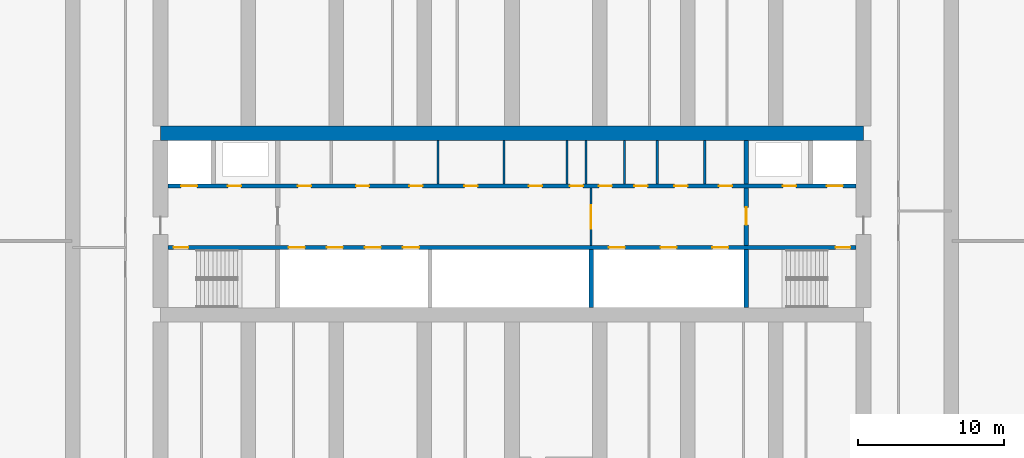
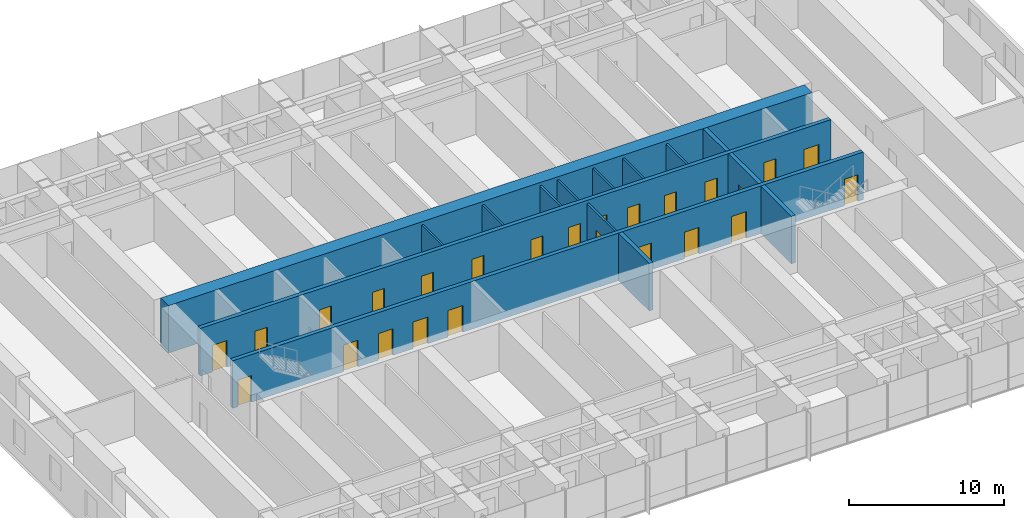
# One storey, part 14 of 25: 25 doors, 15 walls, 25 openings.
"""IFC4 building model written with IfcOpenShell, lengths in metres."""

from ifc_helpers import new_model, si_unit, direction, frame, frame_2d, origin, place, context, subcontext, project, spatial, rectangle, extrude, material, layer, layer_set, type_object, element, fill, save


model = new_model("IFC4")

# Units and contexts
model_context = context("Model", 3, precision=1e-05, world=origin(), true_north=direction((0.0, 1.0)))
body_context = subcontext(model_context, "Body", "Model", "MODEL_VIEW")
ifc_project = project(units=[si_unit("LENGTHUNIT", "METRE"), si_unit("AREAUNIT", "SQUARE_METRE"), si_unit("VOLUMEUNIT", "CUBIC_METRE"), si_unit("PLANEANGLEUNIT", "RADIAN"), si_unit("MASSUNIT", "GRAM", prefix="KILO")], contexts=[model_context])

# Site, building, storey
site_placement = place(None, origin())
site = spatial("IfcSite", under=ifc_project, at=site_placement, CompositionType="ELEMENT")
building_placement = place(site_placement, origin())
building = spatial("IfcBuilding", under=site, at=building_placement, Name="Orbita Commons", CompositionType="ELEMENT")
storey_placement = place(building_placement, frame((0.0, 0.0, 31.449951171875)))
storey = spatial("IfcBuildingStorey", under=building, at=storey_placement, Name="L07", CompositionType="ELEMENT", Elevation=31.449951171875)

# Wall, openings, doors
ifc_material_1 = material(Name="Concrete C50/60", Category="concrete")
ifc_layer_1 = layer(ifc_material_1, 0.300048828125)
ifc_layer_set_1 = layer_set([ifc_layer_1], Name="Concrete C50/60")
wall_type_1 = type_object("IfcWallType", Name="Core inner wall 300 C50/60", PredefinedType="SHEAR", material=ifc_layer_set_1)
wall_1_placement = place(storey_placement, frame((18.5, 30.39990234375, 0.0), z_axis=(0.0, 0.0, 1.0), x_axis=(1.0, 0.0, 0.0)))
wall_1 = element("IfcWall", 1, at=wall_1_placement, inside=storey, type_object=wall_type_1, Name="Lobby wall south L07", PredefinedType="SHEAR", context=body_context, shape_type="SweptSolid", body=[
    extrude(rectangle(XDim=47.0, YDim=0.300048828125, at=frame_2d((23.5, 0.0))), origin(), (0.0, 0.0, 1.0), 3.75),
])
opening_1_placement = place(wall_1_placement, frame((0.39990234375, 0.0, 0.0)))
opening_1 = element("IfcOpeningElement", 2, at=opening_1_placement, cuts=wall_1, Name="Opening D02", PredefinedType="OPENING", context=body_context, shape_type="SweptSolid", body=[
    extrude(rectangle(XDim=1.0, YDim=2.10009765625, at=frame_2d((0.5, 1.050048828125))), frame((0.0, 0.159912109375, 0.0), z_axis=(0.0, -1.0, 0.0), x_axis=(1.0, 0.0, 0.0)), (0.0, 0.0, 1.0), 0.320068359375),
])
opening_2_placement = place(wall_1_placement, frame((45.60009765625, 0.0, 0.0)))
opening_2 = element("IfcOpeningElement", 3, at=opening_2_placement, cuts=wall_1, Name="Opening D02", PredefinedType="OPENING", context=body_context, shape_type="SweptSolid", body=[
    extrude(rectangle(XDim=1.0, YDim=2.10009765625, at=frame_2d((0.5, 1.050048828125))), frame((0.0, 0.159912109375, 0.0), z_axis=(0.0, -1.0, 0.0), x_axis=(1.0, 0.0, 0.0)), (0.0, 0.0, 1.0), 0.320068359375),
])
opening_3_placement = place(wall_1_placement, frame((8.25, 0.0, 0.0)))
opening_3 = element("IfcOpeningElement", 4, at=opening_3_placement, cuts=wall_1, Name="Opening LD02", PredefinedType="OPENING", context=body_context, shape_type="SweptSolid", body=[
    extrude(rectangle(XDim=1.10009765625, YDim=2.10009765625, at=frame_2d((0.550048828125, 1.050048828125))), frame((0.0, 0.159912109375, 0.0), z_axis=(0.0, -1.0, 0.0), x_axis=(1.0, 0.0, 0.0)), (0.0, 0.0, 1.0), 0.320068359375),
])
opening_4_placement = place(wall_1_placement, frame((10.85009765625, 0.0, 0.0)))
opening_4 = element("IfcOpeningElement", 5, at=opening_4_placement, cuts=wall_1, Name="Opening LD02", PredefinedType="OPENING", context=body_context, shape_type="SweptSolid", body=[
    extrude(rectangle(XDim=1.10009765625, YDim=2.10009765625, at=frame_2d((0.550048828125, 1.050048828125))), frame((0.0, 0.159912109375, 0.0), z_axis=(0.0, -1.0, 0.0), x_axis=(1.0, 0.0, 0.0)), (0.0, 0.0, 1.0), 0.320068359375),
])
opening_5_placement = place(wall_1_placement, frame((13.449951171875, 0.0, 0.0)))
opening_5 = element("IfcOpeningElement", 6, at=opening_5_placement, cuts=wall_1, Name="Opening LD02", PredefinedType="OPENING", context=body_context, shape_type="SweptSolid", body=[
    extrude(rectangle(XDim=1.10009765625, YDim=2.10009765625, at=frame_2d((0.550048828125, 1.050048828125))), frame((0.0, 0.159912109375, 0.0), z_axis=(0.0, -1.0, 0.0), x_axis=(1.0, 0.0, 0.0)), (0.0, 0.0, 1.0), 0.320068359375),
])
opening_6_placement = place(wall_1_placement, frame((16.050048828125, 0.0, 0.0)))
opening_6 = element("IfcOpeningElement", 7, at=opening_6_placement, cuts=wall_1, Name="Opening LD02", PredefinedType="OPENING", context=body_context, shape_type="SweptSolid", body=[
    extrude(rectangle(XDim=1.10009765625, YDim=2.10009765625, at=frame_2d((0.550048828125, 1.050048828125))), frame((0.0, 0.159912109375, 0.0), z_axis=(0.0, -1.0, 0.0), x_axis=(1.0, 0.0, 0.0)), (0.0, 0.0, 1.0), 0.320068359375),
])
opening_7_placement = place(wall_1_placement, frame((30.11669921875, 0.0, 0.0)))
opening_7 = element("IfcOpeningElement", 8, at=opening_7_placement, cuts=wall_1, Name="Opening LD02", PredefinedType="OPENING", context=body_context, shape_type="SweptSolid", body=[
    extrude(rectangle(XDim=1.10009765625, YDim=2.10009765625, at=frame_2d((0.550048828125, 1.050048828125))), frame((0.0, 0.159912109375, 0.0), z_axis=(0.0, -1.0, 0.0), x_axis=(1.0, 0.0, 0.0)), (0.0, 0.0, 1.0), 0.320068359375),
])
opening_8_placement = place(wall_1_placement, frame((33.64990234375, 0.0, 0.0)))
opening_8 = element("IfcOpeningElement", 9, at=opening_8_placement, cuts=wall_1, Name="Opening LD02", PredefinedType="OPENING", context=body_context, shape_type="SweptSolid", body=[
    extrude(rectangle(XDim=1.10009765625, YDim=2.10009765625, at=frame_2d((0.550048828125, 1.050048828125))), frame((0.0, 0.159912109375, 0.0), z_axis=(0.0, -1.0, 0.0), x_axis=(1.0, 0.0, 0.0)), (0.0, 0.0, 1.0), 0.320068359375),
])
opening_9_placement = place(wall_1_placement, frame((37.183349609375, 0.0, 0.0)))
opening_9 = element("IfcOpeningElement", 10, at=opening_9_placement, cuts=wall_1, Name="Opening LD02", PredefinedType="OPENING", context=body_context, shape_type="SweptSolid", body=[
    extrude(rectangle(XDim=1.10009765625, YDim=2.10009765625, at=frame_2d((0.550048828125, 1.050048828125))), frame((0.0, 0.159912109375, 0.0), z_axis=(0.0, -1.0, 0.0), x_axis=(1.0, 0.0, 0.0)), (0.0, 0.0, 1.0), 0.320068359375),
])
ifc_material_2 = material(Name="Steel-faced fire door leaf", Category="steel")
door_type_1 = type_object("IfcDoorType", Name="Fire door 90 min 1000x2100", OperationType="SINGLE_SWING_LEFT", PredefinedType="DOOR", material=ifc_material_2)
door_1_placement = place(opening_1_placement, origin())
door_1 = element("IfcDoor", 11, at=door_1_placement, inside=storey, type_object=door_type_1, Name="Stair S1 door", OperationType="SINGLE_SWING_LEFT", OverallHeight=2.10009765625, OverallWidth=1.0, PredefinedType="DOOR", context=body_context, shape_type="SweptSolid", body=[
    extrude(rectangle(XDim=1.0, YDim=2.10009765625, at=frame_2d((0.5, 1.050048828125))), frame((0.0, 0.02490234375, 0.0), z_axis=(0.0, -1.0, 0.0), x_axis=(1.0, 0.0, 0.0)), (0.0, 0.0, 1.0), 0.050048828125),
])
fill(opening_1, door_1)
door_2_placement = place(opening_2_placement, origin())
door_2 = element("IfcDoor", 12, at=door_2_placement, inside=storey, type_object=door_type_1, Name="Stair S2 door", OperationType="SINGLE_SWING_LEFT", OverallHeight=2.10009765625, OverallWidth=1.0, PredefinedType="DOOR", context=body_context, shape_type="SweptSolid", body=[
    extrude(rectangle(XDim=1.0, YDim=2.10009765625, at=frame_2d((0.5, 1.050048828125))), frame((0.0, 0.02490234375, 0.0), z_axis=(0.0, -1.0, 0.0), x_axis=(1.0, 0.0, 0.0)), (0.0, 0.0, 1.0), 0.050048828125),
])
fill(opening_2, door_2)
ifc_material_3 = material(Name="Steel-faced fire door leaf", Category="steel")
door_type_2 = type_object("IfcDoorType", Name="Lift landing door 1100x2100", OperationType="DOUBLE_DOOR_SLIDING", PredefinedType="DOOR", material=ifc_material_3)
door_3_placement = place(opening_3_placement, origin())
door_3 = element("IfcDoor", 13, at=door_3_placement, inside=storey, type_object=door_type_2, Name="Lift P11 landing door", OperationType="DOUBLE_DOOR_SLIDING", OverallHeight=2.10009765625, OverallWidth=1.10009765625, PredefinedType="DOOR", context=body_context, shape_type="SweptSolid", body=[
    extrude(rectangle(XDim=1.10009765625, YDim=2.10009765625, at=frame_2d((0.550048828125, 1.050048828125))), frame((0.0, 0.02490234375, 0.0), z_axis=(0.0, -1.0, 0.0), x_axis=(1.0, 0.0, 0.0)), (0.0, 0.0, 1.0), 0.050048828125),
])
fill(opening_3, door_3)
door_4_placement = place(opening_4_placement, origin())
door_4 = element("IfcDoor", 14, at=door_4_placement, inside=storey, type_object=door_type_2, Name="Lift P12 landing door", OperationType="DOUBLE_DOOR_SLIDING", OverallHeight=2.10009765625, OverallWidth=1.10009765625, PredefinedType="DOOR", context=body_context, shape_type="SweptSolid", body=[
    extrude(rectangle(XDim=1.10009765625, YDim=2.10009765625, at=frame_2d((0.550048828125, 1.050048828125))), frame((0.0, 0.02490234375, 0.0), z_axis=(0.0, -1.0, 0.0), x_axis=(1.0, 0.0, 0.0)), (0.0, 0.0, 1.0), 0.050048828125),
])
fill(opening_4, door_4)
door_5_placement = place(opening_5_placement, origin())
door_5 = element("IfcDoor", 15, at=door_5_placement, inside=storey, type_object=door_type_2, Name="Lift P13 landing door", OperationType="DOUBLE_DOOR_SLIDING", OverallHeight=2.10009765625, OverallWidth=1.10009765625, PredefinedType="DOOR", context=body_context, shape_type="SweptSolid", body=[
    extrude(rectangle(XDim=1.10009765625, YDim=2.10009765625, at=frame_2d((0.550048828125, 1.050048828125))), frame((0.0, 0.02490234375, 0.0), z_axis=(0.0, -1.0, 0.0), x_axis=(1.0, 0.0, 0.0)), (0.0, 0.0, 1.0), 0.050048828125),
])
fill(opening_5, door_5)
door_6_placement = place(opening_6_placement, origin())
door_6 = element("IfcDoor", 16, at=door_6_placement, inside=storey, type_object=door_type_2, Name="Lift P14 landing door", OperationType="DOUBLE_DOOR_SLIDING", OverallHeight=2.10009765625, OverallWidth=1.10009765625, PredefinedType="DOOR", context=body_context, shape_type="SweptSolid", body=[
    extrude(rectangle(XDim=1.10009765625, YDim=2.10009765625, at=frame_2d((0.550048828125, 1.050048828125))), frame((0.0, 0.02490234375, 0.0), z_axis=(0.0, -1.0, 0.0), x_axis=(1.0, 0.0, 0.0)), (0.0, 0.0, 1.0), 0.050048828125),
])
fill(opening_6, door_6)
door_7_placement = place(opening_7_placement, origin())
door_7 = element("IfcDoor", 17, at=door_7_placement, inside=storey, type_object=door_type_2, Name="Lift SV1 landing door", OperationType="DOUBLE_DOOR_SLIDING", OverallHeight=2.10009765625, OverallWidth=1.10009765625, PredefinedType="DOOR", context=body_context, shape_type="SweptSolid", body=[
    extrude(rectangle(XDim=1.10009765625, YDim=2.10009765625, at=frame_2d((0.550048828125, 1.050048828125))), frame((0.0, 0.02490234375, 0.0), z_axis=(0.0, -1.0, 0.0), x_axis=(1.0, 0.0, 0.0)), (0.0, 0.0, 1.0), 0.050048828125),
])
fill(opening_7, door_7)
door_8_placement = place(opening_8_placement, origin())
door_8 = element("IfcDoor", 18, at=door_8_placement, inside=storey, type_object=door_type_2, Name="Lift SV2 landing door", OperationType="DOUBLE_DOOR_SLIDING", OverallHeight=2.10009765625, OverallWidth=1.10009765625, PredefinedType="DOOR", context=body_context, shape_type="SweptSolid", body=[
    extrude(rectangle(XDim=1.10009765625, YDim=2.10009765625, at=frame_2d((0.550048828125, 1.050048828125))), frame((0.0, 0.02490234375, 0.0), z_axis=(0.0, -1.0, 0.0), x_axis=(1.0, 0.0, 0.0)), (0.0, 0.0, 1.0), 0.050048828125),
])
fill(opening_8, door_8)
door_9_placement = place(opening_9_placement, origin())
door_9 = element("IfcDoor", 19, at=door_9_placement, inside=storey, type_object=door_type_2, Name="Lift SV3 landing door", OperationType="DOUBLE_DOOR_SLIDING", OverallHeight=2.10009765625, OverallWidth=1.10009765625, PredefinedType="DOOR", context=body_context, shape_type="SweptSolid", body=[
    extrude(rectangle(XDim=1.10009765625, YDim=2.10009765625, at=frame_2d((0.550048828125, 1.050048828125))), frame((0.0, 0.02490234375, 0.0), z_axis=(0.0, -1.0, 0.0), x_axis=(1.0, 0.0, 0.0)), (0.0, 0.0, 1.0), 0.050048828125),
])
fill(opening_9, door_9)

wall_2_placement = place(storey_placement, frame((18.5, 34.60009765625, 0.0), z_axis=(0.0, 0.0, 1.0), x_axis=(1.0, 0.0, 0.0)))
wall_2 = element("IfcWall", 20, at=wall_2_placement, inside=storey, type_object=wall_type_1, Name="Lobby wall north L07", PredefinedType="SHEAR", context=body_context, shape_type="SweptSolid", body=[
    extrude(rectangle(XDim=47.0, YDim=0.300048828125, at=frame_2d((23.5, 0.0))), origin(), (0.0, 0.0, 1.0), 3.75),
])
opening_10_placement = place(wall_2_placement, frame((0.89990234375, 0.0, 0.0)))
opening_10 = element("IfcOpeningElement", 21, at=opening_10_placement, cuts=wall_2, Name="Opening LD01", PredefinedType="OPENING", context=body_context, shape_type="SweptSolid", body=[
    extrude(rectangle(XDim=1.10009765625, YDim=2.10009765625, at=frame_2d((0.550048828125, 1.050048828125))), frame((0.0, 0.159912109375, 0.0), z_axis=(0.0, -1.0, 0.0), x_axis=(1.0, 0.0, 0.0)), (0.0, 0.0, 1.0), 0.320068359375),
])
opening_11_placement = place(wall_2_placement, frame((45.0, 0.0, 0.0)))
opening_11 = element("IfcOpeningElement", 22, at=opening_11_placement, cuts=wall_2, Name="Opening LD01", PredefinedType="OPENING", context=body_context, shape_type="SweptSolid", body=[
    extrude(rectangle(XDim=1.10009765625, YDim=2.10009765625, at=frame_2d((0.550048828125, 1.050048828125))), frame((0.0, 0.159912109375, 0.0), z_axis=(0.0, -1.0, 0.0), x_axis=(1.0, 0.0, 0.0)), (0.0, 0.0, 1.0), 0.320068359375),
])
opening_12_placement = place(wall_2_placement, frame((4.10009765625, 0.0, 0.0)))
opening_12 = element("IfcOpeningElement", 23, at=opening_12_placement, cuts=wall_2, Name="Opening D03", PredefinedType="OPENING", context=body_context, shape_type="SweptSolid", body=[
    extrude(rectangle(XDim=0.89990234375, YDim=2.10009765625, at=frame_2d((0.449951171875, 1.050048828125))), frame((0.0, 0.159912109375, 0.0), z_axis=(0.0, -1.0, 0.0), x_axis=(1.0, 0.0, 0.0)), (0.0, 0.0, 1.0), 0.320068359375),
])
opening_13_placement = place(wall_2_placement, frame((42.0, 0.0, 0.0)))
opening_13 = element("IfcOpeningElement", 24, at=opening_13_placement, cuts=wall_2, Name="Opening D03", PredefinedType="OPENING", context=body_context, shape_type="SweptSolid", body=[
    extrude(rectangle(XDim=0.89990234375, YDim=2.10009765625, at=frame_2d((0.449951171875, 1.050048828125))), frame((0.0, 0.159912109375, 0.0), z_axis=(0.0, -1.0, 0.0), x_axis=(1.0, 0.0, 0.0)), (0.0, 0.0, 1.0), 0.320068359375),
])
opening_14_placement = place(wall_2_placement, frame((8.87548828125, 0.0, 0.0)))
opening_14 = element("IfcOpeningElement", 25, at=opening_14_placement, cuts=wall_2, Name="Opening D03", PredefinedType="OPENING", context=body_context, shape_type="SweptSolid", body=[
    extrude(rectangle(XDim=0.89990234375, YDim=2.10009765625, at=frame_2d((0.449951171875, 1.050048828125))), frame((0.0, 0.159912109375, 0.0), z_axis=(0.0, -1.0, 0.0), x_axis=(1.0, 0.0, 0.0)), (0.0, 0.0, 1.0), 0.320068359375),
])
opening_15_placement = place(wall_2_placement, frame((12.8486328125, 0.0, 0.0)))
opening_15 = element("IfcOpeningElement", 26, at=opening_15_placement, cuts=wall_2, Name="Opening D03", PredefinedType="OPENING", context=body_context, shape_type="SweptSolid", body=[
    extrude(rectangle(XDim=0.89990234375, YDim=2.10009765625, at=frame_2d((0.449951171875, 1.050048828125))), frame((0.0, 0.159912109375, 0.0), z_axis=(0.0, -1.0, 0.0), x_axis=(1.0, 0.0, 0.0)), (0.0, 0.0, 1.0), 0.320068359375),
])
opening_16_placement = place(wall_2_placement, frame((16.496337890625, 0.0, 0.0)))
opening_16 = element("IfcOpeningElement", 27, at=opening_16_placement, cuts=wall_2, Name="Opening D03", PredefinedType="OPENING", context=body_context, shape_type="SweptSolid", body=[
    extrude(rectangle(XDim=0.89990234375, YDim=2.10009765625, at=frame_2d((0.449951171875, 1.050048828125))), frame((0.0, 0.159912109375, 0.0), z_axis=(0.0, -1.0, 0.0), x_axis=(1.0, 0.0, 0.0)), (0.0, 0.0, 1.0), 0.320068359375),
])
opening_17_placement = place(wall_2_placement, frame((20.254638671875, 0.0, 0.0)))
opening_17 = element("IfcOpeningElement", 28, at=opening_17_placement, cuts=wall_2, Name="Opening D03", PredefinedType="OPENING", context=body_context, shape_type="SweptSolid", body=[
    extrude(rectangle(XDim=0.89990234375, YDim=2.10009765625, at=frame_2d((0.449951171875, 1.050048828125))), frame((0.0, 0.159912109375, 0.0), z_axis=(0.0, -1.0, 0.0), x_axis=(1.0, 0.0, 0.0)), (0.0, 0.0, 1.0), 0.320068359375),
])
opening_18_placement = place(wall_2_placement, frame((24.66064453125, 0.0, 0.0)))
opening_18 = element("IfcOpeningElement", 29, at=opening_18_placement, cuts=wall_2, Name="Opening D03", PredefinedType="OPENING", context=body_context, shape_type="SweptSolid", body=[
    extrude(rectangle(XDim=0.89990234375, YDim=2.10009765625, at=frame_2d((0.449951171875, 1.050048828125))), frame((0.0, 0.159912109375, 0.0), z_axis=(0.0, -1.0, 0.0), x_axis=(1.0, 0.0, 0.0)), (0.0, 0.0, 1.0), 0.320068359375),
])
opening_19_placement = place(wall_2_placement, frame((27.45849609375, 0.0, 0.0)))
opening_19 = element("IfcOpeningElement", 30, at=opening_19_placement, cuts=wall_2, Name="Opening D03", PredefinedType="OPENING", context=body_context, shape_type="SweptSolid", body=[
    extrude(rectangle(XDim=0.89990234375, YDim=2.10009765625, at=frame_2d((0.449951171875, 1.050048828125))), frame((0.0, 0.159912109375, 0.0), z_axis=(0.0, -1.0, 0.0), x_axis=(1.0, 0.0, 0.0)), (0.0, 0.0, 1.0), 0.320068359375),
])
opening_20_placement = place(wall_2_placement, frame((29.42529296875, 0.0, 0.0)))
opening_20 = element("IfcOpeningElement", 31, at=opening_20_placement, cuts=wall_2, Name="Opening D05", PredefinedType="OPENING", context=body_context, shape_type="SweptSolid", body=[
    extrude(rectangle(XDim=0.89990234375, YDim=2.10009765625, at=frame_2d((0.449951171875, 1.050048828125))), frame((0.0, 0.159912109375, 0.0), z_axis=(0.0, -1.0, 0.0), x_axis=(1.0, 0.0, 0.0)), (0.0, 0.0, 1.0), 0.320068359375),
])
opening_21_placement = place(wall_2_placement, frame((31.85693359375, 0.0, 0.0)))
opening_21 = element("IfcOpeningElement", 32, at=opening_21_placement, cuts=wall_2, Name="Opening D05", PredefinedType="OPENING", context=body_context, shape_type="SweptSolid", body=[
    extrude(rectangle(XDim=0.89990234375, YDim=2.10009765625, at=frame_2d((0.449951171875, 1.050048828125))), frame((0.0, 0.159912109375, 0.0), z_axis=(0.0, -1.0, 0.0), x_axis=(1.0, 0.0, 0.0)), (0.0, 0.0, 1.0), 0.320068359375),
])
opening_22_placement = place(wall_2_placement, frame((34.59228515625, 0.0, 0.0)))
opening_22 = element("IfcOpeningElement", 33, at=opening_22_placement, cuts=wall_2, Name="Opening D05", PredefinedType="OPENING", context=body_context, shape_type="SweptSolid", body=[
    extrude(rectangle(XDim=0.89990234375, YDim=2.10009765625, at=frame_2d((0.449951171875, 1.050048828125))), frame((0.0, 0.159912109375, 0.0), z_axis=(0.0, -1.0, 0.0), x_axis=(1.0, 0.0, 0.0)), (0.0, 0.0, 1.0), 0.320068359375),
])
opening_23_placement = place(wall_2_placement, frame((37.631591796875, 0.0, 0.0)))
opening_23 = element("IfcOpeningElement", 34, at=opening_23_placement, cuts=wall_2, Name="Opening D03", PredefinedType="OPENING", context=body_context, shape_type="SweptSolid", body=[
    extrude(rectangle(XDim=0.89990234375, YDim=2.10009765625, at=frame_2d((0.449951171875, 1.050048828125))), frame((0.0, 0.159912109375, 0.0), z_axis=(0.0, -1.0, 0.0), x_axis=(1.0, 0.0, 0.0)), (0.0, 0.0, 1.0), 0.320068359375),
])
ifc_material_4 = material(Name="Steel-faced fire door leaf", Category="steel")
door_type_3 = type_object("IfcDoorType", Name="Firefighting lift landing door 1100x2100", OperationType="DOUBLE_DOOR_SLIDING", PredefinedType="DOOR", material=ifc_material_4)
door_10_placement = place(opening_10_placement, origin())
door_10 = element("IfcDoor", 35, at=door_10_placement, inside=storey, type_object=door_type_3, Name="Firefighting lift FL1 landing door", OperationType="DOUBLE_DOOR_SLIDING", OverallHeight=2.10009765625, OverallWidth=1.10009765625, PredefinedType="DOOR", context=body_context, shape_type="SweptSolid", body=[
    extrude(rectangle(XDim=1.10009765625, YDim=2.10009765625, at=frame_2d((0.550048828125, 1.050048828125))), frame((0.0, 0.02490234375, 0.0), z_axis=(0.0, -1.0, 0.0), x_axis=(1.0, 0.0, 0.0)), (0.0, 0.0, 1.0), 0.050048828125),
])
fill(opening_10, door_10)
door_11_placement = place(opening_11_placement, origin())
door_11 = element("IfcDoor", 36, at=door_11_placement, inside=storey, type_object=door_type_3, Name="Firefighting lift FL2 landing door", OperationType="DOUBLE_DOOR_SLIDING", OverallHeight=2.10009765625, OverallWidth=1.10009765625, PredefinedType="DOOR", context=body_context, shape_type="SweptSolid", body=[
    extrude(rectangle(XDim=1.10009765625, YDim=2.10009765625, at=frame_2d((0.550048828125, 1.050048828125))), frame((0.0, 0.02490234375, 0.0), z_axis=(0.0, -1.0, 0.0), x_axis=(1.0, 0.0, 0.0)), (0.0, 0.0, 1.0), 0.050048828125),
])
fill(opening_11, door_11)
ifc_material_5 = material(Name="Steel-faced fire door leaf", Category="steel")
door_type_4 = type_object("IfcDoorType", Name="Service door 20 min 900x2100", OperationType="SINGLE_SWING_LEFT", PredefinedType="DOOR", material=ifc_material_5)
door_12_placement = place(opening_20_placement, origin())
door_12 = element("IfcDoor", 37, at=door_12_placement, inside=storey, type_object=door_type_4, Name="Accessible WC door", OperationType="SINGLE_SWING_LEFT", OverallHeight=2.10009765625, OverallWidth=0.89990234375, PredefinedType="DOOR", context=body_context, shape_type="SweptSolid", body=[
    extrude(rectangle(XDim=0.89990234375, YDim=2.10009765625, at=frame_2d((0.449951171875, 1.050048828125))), frame((0.0, 0.02490234375, 0.0), z_axis=(0.0, -1.0, 0.0), x_axis=(1.0, 0.0, 0.0)), (0.0, 0.0, 1.0), 0.050048828125),
])
fill(opening_20, door_12)
door_13_placement = place(opening_21_placement, origin())
door_13 = element("IfcDoor", 38, at=door_13_placement, inside=storey, type_object=door_type_4, Name="Staff WC door", OperationType="SINGLE_SWING_LEFT", OverallHeight=2.10009765625, OverallWidth=0.89990234375, PredefinedType="DOOR", context=body_context, shape_type="SweptSolid", body=[
    extrude(rectangle(XDim=0.89990234375, YDim=2.10009765625, at=frame_2d((0.449951171875, 1.050048828125))), frame((0.0, 0.02490234375, 0.0), z_axis=(0.0, -1.0, 0.0), x_axis=(1.0, 0.0, 0.0)), (0.0, 0.0, 1.0), 0.050048828125),
])
fill(opening_21, door_13)
door_14_placement = place(opening_22_placement, origin())
door_14 = element("IfcDoor", 39, at=door_14_placement, inside=storey, type_object=door_type_4, Name="Guest pantry door", OperationType="SINGLE_SWING_LEFT", OverallHeight=2.10009765625, OverallWidth=0.89990234375, PredefinedType="DOOR", context=body_context, shape_type="SweptSolid", body=[
    extrude(rectangle(XDim=0.89990234375, YDim=2.10009765625, at=frame_2d((0.449951171875, 1.050048828125))), frame((0.0, 0.02490234375, 0.0), z_axis=(0.0, -1.0, 0.0), x_axis=(1.0, 0.0, 0.0)), (0.0, 0.0, 1.0), 0.050048828125),
])
fill(opening_22, door_14)
ifc_material_6 = material(Name="Steel-faced fire door leaf", Category="steel")
door_type_5 = type_object("IfcDoorType", Name="Shaft access door 90 min 900x2100", OperationType="SINGLE_SWING_LEFT", PredefinedType="DOOR", material=ifc_material_6)
door_15_placement = place(opening_12_placement, origin())
door_15 = element("IfcDoor", 40, at=door_15_placement, inside=storey, type_object=door_type_5, Name="Riser door west", OperationType="SINGLE_SWING_LEFT", OverallHeight=2.10009765625, OverallWidth=0.89990234375, PredefinedType="DOOR", context=body_context, shape_type="SweptSolid", body=[
    extrude(rectangle(XDim=0.89990234375, YDim=2.10009765625, at=frame_2d((0.449951171875, 1.050048828125))), frame((0.0, 0.02490234375, 0.0), z_axis=(0.0, -1.0, 0.0), x_axis=(1.0, 0.0, 0.0)), (0.0, 0.0, 1.0), 0.050048828125),
])
fill(opening_12, door_15)
door_16_placement = place(opening_13_placement, origin())
door_16 = element("IfcDoor", 41, at=door_16_placement, inside=storey, type_object=door_type_5, Name="Riser door east", OperationType="SINGLE_SWING_LEFT", OverallHeight=2.10009765625, OverallWidth=0.89990234375, PredefinedType="DOOR", context=body_context, shape_type="SweptSolid", body=[
    extrude(rectangle(XDim=0.89990234375, YDim=2.10009765625, at=frame_2d((0.449951171875, 1.050048828125))), frame((0.0, 0.02490234375, 0.0), z_axis=(0.0, -1.0, 0.0), x_axis=(1.0, 0.0, 0.0)), (0.0, 0.0, 1.0), 0.050048828125),
])
fill(opening_13, door_16)
door_17_placement = place(opening_14_placement, origin())
door_17 = element("IfcDoor", 42, at=door_17_placement, inside=storey, type_object=door_type_5, Name="Cleaners store door", OperationType="SINGLE_SWING_LEFT", OverallHeight=2.10009765625, OverallWidth=0.89990234375, PredefinedType="DOOR", context=body_context, shape_type="SweptSolid", body=[
    extrude(rectangle(XDim=0.89990234375, YDim=2.10009765625, at=frame_2d((0.449951171875, 1.050048828125))), frame((0.0, 0.02490234375, 0.0), z_axis=(0.0, -1.0, 0.0), x_axis=(1.0, 0.0, 0.0)), (0.0, 0.0, 1.0), 0.050048828125),
])
fill(opening_14, door_17)
door_18_placement = place(opening_15_placement, origin())
door_18 = element("IfcDoor", 43, at=door_18_placement, inside=storey, type_object=door_type_5, Name="Refuse chute room door", OperationType="SINGLE_SWING_LEFT", OverallHeight=2.10009765625, OverallWidth=0.89990234375, PredefinedType="DOOR", context=body_context, shape_type="SweptSolid", body=[
    extrude(rectangle(XDim=0.89990234375, YDim=2.10009765625, at=frame_2d((0.449951171875, 1.050048828125))), frame((0.0, 0.02490234375, 0.0), z_axis=(0.0, -1.0, 0.0), x_axis=(1.0, 0.0, 0.0)), (0.0, 0.0, 1.0), 0.050048828125),
])
fill(opening_15, door_18)
door_19_placement = place(opening_16_placement, origin())
door_19 = element("IfcDoor", 44, at=door_19_placement, inside=storey, type_object=door_type_5, Name="Electrical riser room door", OperationType="SINGLE_SWING_LEFT", OverallHeight=2.10009765625, OverallWidth=0.89990234375, PredefinedType="DOOR", context=body_context, shape_type="SweptSolid", body=[
    extrude(rectangle(XDim=0.89990234375, YDim=2.10009765625, at=frame_2d((0.449951171875, 1.050048828125))), frame((0.0, 0.02490234375, 0.0), z_axis=(0.0, -1.0, 0.0), x_axis=(1.0, 0.0, 0.0)), (0.0, 0.0, 1.0), 0.050048828125),
])
fill(opening_16, door_19)
door_20_placement = place(opening_17_placement, origin())
door_20 = element("IfcDoor", 45, at=door_20_placement, inside=storey, type_object=door_type_5, Name="IT room door", OperationType="SINGLE_SWING_LEFT", OverallHeight=2.10009765625, OverallWidth=0.89990234375, PredefinedType="DOOR", context=body_context, shape_type="SweptSolid", body=[
    extrude(rectangle(XDim=0.89990234375, YDim=2.10009765625, at=frame_2d((0.449951171875, 1.050048828125))), frame((0.0, 0.02490234375, 0.0), z_axis=(0.0, -1.0, 0.0), x_axis=(1.0, 0.0, 0.0)), (0.0, 0.0, 1.0), 0.050048828125),
])
fill(opening_17, door_20)
door_21_placement = place(opening_18_placement, origin())
door_21 = element("IfcDoor", 46, at=door_21_placement, inside=storey, type_object=door_type_5, Name="Communications room door", OperationType="SINGLE_SWING_LEFT", OverallHeight=2.10009765625, OverallWidth=0.89990234375, PredefinedType="DOOR", context=body_context, shape_type="SweptSolid", body=[
    extrude(rectangle(XDim=0.89990234375, YDim=2.10009765625, at=frame_2d((0.449951171875, 1.050048828125))), frame((0.0, 0.02490234375, 0.0), z_axis=(0.0, -1.0, 0.0), x_axis=(1.0, 0.0, 0.0)), (0.0, 0.0, 1.0), 0.050048828125),
])
fill(opening_18, door_21)
door_22_placement = place(opening_19_placement, origin())
door_22 = element("IfcDoor", 47, at=door_22_placement, inside=storey, type_object=door_type_5, Name="Stair pressurisation duct door", OperationType="SINGLE_SWING_LEFT", OverallHeight=2.10009765625, OverallWidth=0.89990234375, PredefinedType="DOOR", context=body_context, shape_type="SweptSolid", body=[
    extrude(rectangle(XDim=0.89990234375, YDim=2.10009765625, at=frame_2d((0.449951171875, 1.050048828125))), frame((0.0, 0.02490234375, 0.0), z_axis=(0.0, -1.0, 0.0), x_axis=(1.0, 0.0, 0.0)), (0.0, 0.0, 1.0), 0.050048828125),
])
fill(opening_19, door_22)
door_23_placement = place(opening_23_placement, origin())
door_23 = element("IfcDoor", 48, at=door_23_placement, inside=storey, type_object=door_type_5, Name="Linen store door", OperationType="SINGLE_SWING_LEFT", OverallHeight=2.10009765625, OverallWidth=0.89990234375, PredefinedType="DOOR", context=body_context, shape_type="SweptSolid", body=[
    extrude(rectangle(XDim=0.89990234375, YDim=2.10009765625, at=frame_2d((0.449951171875, 1.050048828125))), frame((0.0, 0.02490234375, 0.0), z_axis=(0.0, -1.0, 0.0), x_axis=(1.0, 0.0, 0.0)), (0.0, 0.0, 1.0), 0.050048828125),
])
fill(opening_23, door_23)

# Wall
wall_3_placement = place(storey_placement, frame((58.0, 26.300048828125, 0.0), z_axis=(0.0, 0.0, 1.0), x_axis=(0.0, 1.0, 0.0)))
element("IfcWall", 49, at=wall_3_placement, inside=storey, type_object=wall_type_1, Name="Stair S2 wall L07", PredefinedType="SHEAR", context=body_context, shape_type="SweptSolid", body=[
    extrude(rectangle(XDim=3.949951171875, YDim=0.300048828125, at=frame_2d((1.97509765625, 0.0))), origin(), (0.0, 0.0, 1.0), 3.75),
])

# Wall, opening, door
wall_4_placement = place(storey_placement, frame((58.0, 30.550048828125, 0.0), z_axis=(0.0, 0.0, 1.0), x_axis=(0.0, 1.0, 0.0)))
wall_4 = element("IfcWall", 50, at=wall_4_placement, inside=storey, type_object=wall_type_1, Name="Firefighting lobby wall east L07", PredefinedType="SHEAR", context=body_context, shape_type="SweptSolid", body=[
    extrude(rectangle(XDim=3.89990234375, YDim=0.300048828125, at=frame_2d((1.949951171875, 0.0))), origin(), (0.0, 0.0, 1.0), 3.75),
])
opening_24_placement = place(wall_4_placement, frame((1.39990234375, 0.0, 0.0)))
opening_24 = element("IfcOpeningElement", 51, at=opening_24_placement, cuts=wall_4, Name="Opening D04", PredefinedType="OPENING", context=body_context, shape_type="SweptSolid", body=[
    extrude(rectangle(XDim=1.199951171875, YDim=2.10009765625, at=frame_2d((0.60009765625, 1.050048828125))), frame((0.0, 0.159912109375, 0.0), z_axis=(0.0, -1.0, 0.0), x_axis=(1.0, 0.0, 0.0)), (0.0, 0.0, 1.0), 0.320068359375),
])
ifc_material_7 = material(Name="Steel-faced fire door leaf", Category="steel")
door_type_6 = type_object("IfcDoorType", Name="Service door 20 min 1200x2100", OperationType="SINGLE_SWING_LEFT", PredefinedType="DOOR", material=ifc_material_7)
door_24_placement = place(opening_24_placement, origin())
door_24 = element("IfcDoor", 52, at=door_24_placement, inside=storey, type_object=door_type_6, Name="Lift lobby door east", OperationType="SINGLE_SWING_LEFT", OverallHeight=2.10009765625, OverallWidth=1.199951171875, PredefinedType="DOOR", context=body_context, shape_type="SweptSolid", body=[
    extrude(rectangle(XDim=1.199951171875, YDim=2.10009765625, at=frame_2d((0.60009765625, 1.050048828125))), frame((0.0, 0.02490234375, 0.0), z_axis=(0.0, -1.0, 0.0), x_axis=(1.0, 0.0, 0.0)), (0.0, 0.0, 1.0), 0.050048828125),
])
fill(opening_24, door_24)

# Walls
wall_5_placement = place(storey_placement, frame((58.0, 34.75, 0.0), z_axis=(0.0, 0.0, 1.0), x_axis=(0.0, 1.0, 0.0)))
element("IfcWall", 53, at=wall_5_placement, inside=storey, type_object=wall_type_1, Name="Riser wall east L07", PredefinedType="SHEAR", context=body_context, shape_type="SweptSolid", body=[
    extrude(rectangle(XDim=2.949951171875, YDim=0.300048828125, at=frame_2d((1.47509765625, 0.0))), origin(), (0.0, 0.0, 1.0), 3.75),
])
wall_6_placement = place(storey_placement, frame((47.39990234375, 26.300048828125, 0.0), z_axis=(0.0, 0.0, 1.0), x_axis=(0.0, 1.0, 0.0)))
element("IfcWall", 54, at=wall_6_placement, inside=storey, type_object=wall_type_1, Name="Hoistway division wall L07", PredefinedType="SHEAR", context=body_context, shape_type="SweptSolid", body=[
    extrude(rectangle(XDim=3.949951171875, YDim=0.300048828125, at=frame_2d((1.97509765625, 0.0))), origin(), (0.0, 0.0, 1.0), 3.75),
])

# Wall, opening, door
ifc_material_8 = material(Name="Concrete blockwork", Category="masonry")
ifc_layer_2 = layer(ifc_material_8, 0.14990234375)
ifc_layer_set_2 = layer_set([ifc_layer_2], Name="Concrete blockwork")
wall_type_2 = type_object("IfcWallType", Name="Core partition 150 blockwork", PredefinedType="SOLIDWALL", material=ifc_layer_set_2)
wall_7_placement = place(storey_placement, frame((47.39990234375, 30.550048828125, 0.0), z_axis=(0.0, 0.0, 1.0), x_axis=(0.0, 1.0, 0.0)))
wall_7 = element("IfcWall", 55, at=wall_7_placement, inside=storey, type_object=wall_type_2, Name="Core partition 150 blockwork L07", PredefinedType="SOLIDWALL", context=body_context, shape_type="SweptSolid", body=[
    extrude(rectangle(XDim=3.89990234375, YDim=0.14990234375, at=frame_2d((1.949951171875, 0.0))), origin(), (0.0, 0.0, 1.0), 3.5),
])
opening_25_placement = place(wall_7_placement, frame((1.14990234375, 0.0, 0.0)))
opening_25 = element("IfcOpeningElement", 56, at=opening_25_placement, cuts=wall_7, Name="Opening D10", PredefinedType="OPENING", context=body_context, shape_type="SweptSolid", body=[
    extrude(rectangle(XDim=1.60009765625, YDim=2.10009765625, at=frame_2d((0.800048828125, 1.050048828125))), frame((0.0, 0.0849609375, 0.0), z_axis=(0.0, -1.0, 0.0), x_axis=(1.0, 0.0, 0.0)), (0.0, 0.0, 1.0), 0.169921875),
])
ifc_material_9 = material(Name="Steel-faced fire door leaf", Category="steel")
door_type_7 = type_object("IfcDoorType", Name="Double corridor door 20 min 1600x2100", OperationType="DOUBLE_DOOR_SINGLE_SWING", PredefinedType="DOOR", material=ifc_material_9)
door_25_placement = place(opening_25_placement, origin())
door_25 = element("IfcDoor", 57, at=door_25_placement, inside=storey, type_object=door_type_7, Name="Lift lobby screen doors", OperationType="DOUBLE_DOOR_SINGLE_SWING", OverallHeight=2.10009765625, OverallWidth=1.60009765625, PredefinedType="DOOR", context=body_context, shape_type="SweptSolid", body=[
    extrude(rectangle(XDim=1.60009765625, YDim=2.10009765625, at=frame_2d((0.800048828125, 1.050048828125))), frame((0.0, 0.02490234375, 0.0), z_axis=(0.0, -1.0, 0.0), x_axis=(1.0, 0.0, 0.0)), (0.0, 0.0, 1.0), 0.050048828125),
])
fill(opening_25, door_25)

# Walls
for number, where, z_axis, x_axis, name in (
    (58, (36.9462890625, 34.75, 0.0), (0.0, 0.0, 1.0), (0.0, 1.0, 0.0), "Core partition 150 blockwork L07"),
    (59, (41.463134765625, 34.75, 0.0), (0.0, 0.0, 1.0), (0.0, 1.0, 0.0), "Core partition 150 blockwork L07"),
    (60, (45.75830078125, 34.75, 0.0), (0.0, 0.0, 1.0), (0.0, 1.0, 0.0), "Core partition 150 blockwork L07"),
    (61, (47.058349609375, 34.75, 0.0), (0.0, 0.0, 1.0), (0.0, 1.0, 0.0), "Core partition 150 blockwork L07"),
    (62, (49.6923828125, 34.75, 0.0), (0.0, 0.0, 1.0), (0.0, 1.0, 0.0), "Core partition 150 blockwork L07"),
    (63, (51.92138671875, 34.75, 0.0), (0.0, 0.0, 1.0), (0.0, 1.0, 0.0), "Core partition 150 blockwork L07"),
    (64, (55.163330078125, 34.75, 0.0), (0.0, 0.0, 1.0), (0.0, 1.0, 0.0), "Core partition 150 blockwork L07"),
):
    element("IfcWall", number, at=place(storey_placement, frame(where, z_axis=z_axis, x_axis=x_axis)), inside=storey, type_object=wall_type_2, Name=name, PredefinedType="SOLIDWALL", context=body_context, shape_type="SweptSolid", body=[
        extrude(rectangle(XDim=2.949951171875, YDim=0.14990234375, at=frame_2d((1.47509765625, 0.0))), origin(), (0.0, 0.0, 1.0), 3.5),
    ])
ifc_material_10 = material(Name="Concrete C50/60", Category="concrete")
ifc_layer_3 = layer(ifc_material_10, 1.0)
ifc_layer_set_3 = layer_set([ifc_layer_3], Name="Concrete C50/60")
wall_type_3 = type_object("IfcWallType", Name="Core wall 1000 C50/60", PredefinedType="SHEAR", material=ifc_layer_set_3)
wall_8_placement = place(storey_placement, frame((18.0, 38.199951171875, 0.0), z_axis=(0.0, 0.0, 1.0), x_axis=(1.0, 0.0, 0.0)))
element("IfcWall", 65, at=wall_8_placement, inside=storey, type_object=wall_type_3, Name="Core spine wall north L07", PredefinedType="SHEAR", context=body_context, shape_type="SweptSolid", body=[
    extrude(rectangle(XDim=48.0, YDim=1.0, at=frame_2d((24.0, 0.0))), origin(), (0.0, 0.0, 1.0), 3.75),
])

save(model, "model.ifc")
